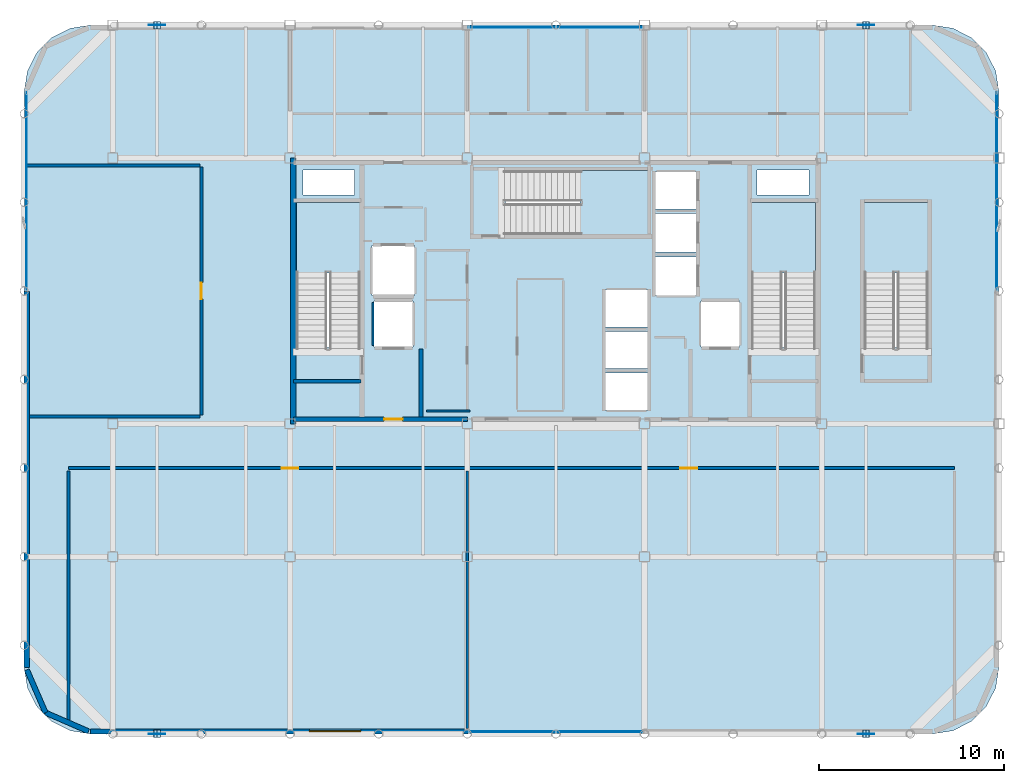
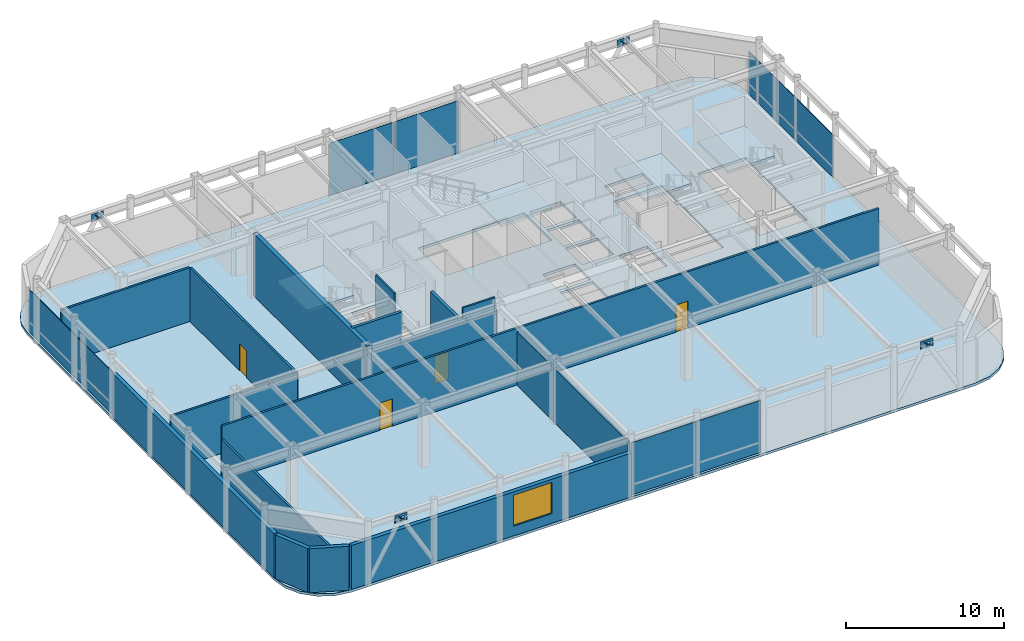
# One storey, part 16 of 21: 18 plates, 16 walls, 5 slabs, 4 doors, 1 window, 5 openings, 8 elements without a shape of their own.
"""IFC4 building model written with IfcOpenShell, lengths in metres."""

from ifc_helpers import new_model, si_unit, direction, frame, frame_2d, origin, origin_2d, place, context, subcontext, project, spatial, polyline, rectangle, outline, extrude, material, layer, layer_set, type_object, element, fill, aggregate, save


model = new_model("IFC4")

# Units and contexts
model_context = context("Model", 3, precision=1e-05, world=origin(), true_north=direction((0.0, 1.0)))
body_context = subcontext(model_context, "Body", "Model", "MODEL_VIEW")
ifc_project = project(units=[si_unit("LENGTHUNIT", "METRE"), si_unit("AREAUNIT", "SQUARE_METRE"), si_unit("VOLUMEUNIT", "CUBIC_METRE"), si_unit("PLANEANGLEUNIT", "RADIAN"), si_unit("MASSUNIT", "GRAM", prefix="KILO")], contexts=[model_context])

# Site, building, storey
site_placement = place(None, origin())
site = spatial("IfcSite", under=ifc_project, at=site_placement, CompositionType="ELEMENT")
building_placement = place(site_placement, origin())
building = spatial("IfcBuilding", under=site, at=building_placement, Name="Kallvorn Hotel Tower", CompositionType="ELEMENT")
storey_placement = place(building_placement, frame((0.0, 0.0, 290.60009765625)))
storey = spatial("IfcBuildingStorey", under=building, at=storey_placement, Name="L72", CompositionType="ELEMENT", Elevation=290.60009765625)

# Curtain wall, plates
ifc_material_1 = material(Name="Thermally broken black-anodised aluminium AA 6063-T6", Category="aluminium")
ifc_layer_1 = layer(ifc_material_1, 0.25)
ifc_layer_set_1 = layer_set([ifc_layer_1], Name="CW_SYS_6_SUMMIT_OBS")
curtain_wall_type = type_object("IfcCurtainWallType", Name="CW_SYS_6_SUMMIT_OBS", PredefinedType="USERDEFINED", material=ifc_layer_set_1)
curtain_wall_1_placement = place(storey_placement, origin())
curtain_wall_1 = element("IfcCurtainWall", 1, at=curtain_wall_1_placement, inside=storey, type_object=curtain_wall_type, Name="L72 Dark-Glass Curtain Wall CW-L72-SC", ObjectType="UNITISED CURTAIN WALL", PredefinedType="USERDEFINED")
ifc_material_2 = material(Name="Triple-glazed low-e acoustic solar-control dark glass", Category="glass")
ifc_layer_2 = layer(ifc_material_2, 0.044921875)
ifc_layer_set_2 = layer_set([ifc_layer_2], Name="CW_SYS_6_SUMMIT_OBS_PANEL")
plate_type_1 = type_object("IfcPlateType", Name="CW_SYS_6_SUMMIT_OBS_PANEL", PredefinedType="CURTAIN_PANEL", material=ifc_layer_set_2)
plate_1_placement = place(storey_placement, frame((-2.375, -23.8798828125, 0.06005859375), z_axis=(0.0, 0.0, 1.0), x_axis=(1.0, 0.0, 0.0)))
plate_1 = element("IfcPlate", 2, at=plate_1_placement, type_object=plate_type_1, Name="CW-L72-SC Vision Glass Panel 00", PredefinedType="CURTAIN_PANEL", context=body_context, shape_type="SweptSolid", body=[
    extrude(rectangle(XDim=4.68994140625, YDim=0.044921875, at=origin_2d()), origin(), (0.0, 0.0, 1.0), 4.030029296875),
])
plate_2_placement = place(storey_placement, frame((2.375, -23.8798828125, 0.06005859375), z_axis=(0.0, 0.0, 1.0), x_axis=(1.0, 0.0, 0.0)))
plate_2 = element("IfcPlate", 3, at=plate_2_placement, type_object=plate_type_1, Name="CW-L72-SC Vision Glass Panel 01", PredefinedType="CURTAIN_PANEL", context=body_context, shape_type="SweptSolid", body=[
    extrude(rectangle(XDim=4.68994140625, YDim=0.044921875, at=origin_2d()), origin(), (0.0, 0.0, 1.0), 4.030029296875),
])
aggregate(curtain_wall_1, [plate_1, plate_2])

curtain_wall_2_placement = place(storey_placement, origin())
curtain_wall_2 = element("IfcCurtainWall", 4, at=curtain_wall_2_placement, inside=storey, type_object=curtain_wall_type, Name="L72 Dark-Glass Curtain Wall CW-L72-NC", ObjectType="UNITISED CURTAIN WALL", PredefinedType="USERDEFINED")
plate_3_placement = place(storey_placement, frame((-2.375, 14.280029296875, 0.06005859375), z_axis=(0.0, 0.0, 1.0), x_axis=(1.0, 0.0, 0.0)))
plate_3 = element("IfcPlate", 5, at=plate_3_placement, type_object=plate_type_1, Name="CW-L72-NC Vision Glass Panel 00", PredefinedType="CURTAIN_PANEL", context=body_context, shape_type="SweptSolid", body=[
    extrude(rectangle(XDim=4.68994140625, YDim=0.044921875, at=origin_2d()), origin(), (0.0, 0.0, 1.0), 4.030029296875),
])
plate_4_placement = place(storey_placement, frame((2.375, 14.280029296875, 0.06005859375), z_axis=(0.0, 0.0, 1.0), x_axis=(1.0, 0.0, 0.0)))
plate_4 = element("IfcPlate", 6, at=plate_4_placement, type_object=plate_type_1, Name="CW-L72-NC Vision Glass Panel 01", PredefinedType="CURTAIN_PANEL", context=body_context, shape_type="SweptSolid", body=[
    extrude(rectangle(XDim=4.68994140625, YDim=0.044921875, at=origin_2d()), origin(), (0.0, 0.0, 1.0), 4.030029296875),
])
aggregate(curtain_wall_2, [plate_3, plate_4])

# Curtain wall, plate
curtain_wall_3_placement = place(storey_placement, origin())
curtain_wall_3 = element("IfcCurtainWall", 7, at=curtain_wall_3_placement, inside=storey, type_object=curtain_wall_type, Name="L72 Dark-Glass Curtain Wall CW-L72-WN", ObjectType="UNITISED CURTAIN WALL", PredefinedType="USERDEFINED")
plate_5_placement = place(storey_placement, frame((-28.679931640625, 5.409912109375, 0.06005859375), z_axis=(0.0, 0.0, 1.0), x_axis=(0.0, 1.0, 0.0)))
plate_5 = element("IfcPlate", 8, at=plate_5_placement, type_object=plate_type_1, Name="CW-L72-WN Vision Glass Panel 00", PredefinedType="CURTAIN_PANEL", context=body_context, shape_type="SweptSolid", body=[
    extrude(rectangle(XDim=10.719970703125, YDim=0.044921875, at=origin_2d()), origin(), (0.0, 0.0, 1.0), 3.280029296875),
])
aggregate(curtain_wall_3, [plate_5])

curtain_wall_4_placement = place(storey_placement, origin())
curtain_wall_4 = element("IfcCurtainWall", 9, at=curtain_wall_4_placement, inside=storey, type_object=curtain_wall_type, Name="L72 Dark-Glass Curtain Wall CW-L72-EN", ObjectType="UNITISED CURTAIN WALL", PredefinedType="USERDEFINED")
plate_6_placement = place(storey_placement, frame((23.8798828125, 5.409912109375, 0.06005859375), z_axis=(0.0, 0.0, 1.0), x_axis=(0.0, 1.0, 0.0)))
plate_6 = element("IfcPlate", 10, at=plate_6_placement, type_object=plate_type_1, Name="CW-L72-EN Vision Glass Panel 00", PredefinedType="CURTAIN_PANEL", context=body_context, shape_type="SweptSolid", body=[
    extrude(rectangle(XDim=10.719970703125, YDim=0.044921875, at=origin_2d()), origin(), (0.0, 0.0, 1.0), 3.280029296875),
])
aggregate(curtain_wall_4, [plate_6])

# Plates
ifc_material_3 = material(Name="Structural steel S355JR", Category="steel")
ifc_layer_3 = layer(ifc_material_3, 0.030029296875)
ifc_layer_set_3 = layer_set([ifc_layer_3], Name="PLT_CAP_30")
plate_type_2 = type_object("IfcPlateType", Name="PLT_CAP_30", PredefinedType="SHEET", material=ifc_layer_set_3)
plate_7_placement = place(storey_placement, frame((-21.420166015625, -24.201904296875, 4.247802734375), z_axis=(0.499390932749, 0.0, 0.866376763474), x_axis=(0.0, 1.0, 0.0)))
element("IfcPlate", 11, at=plate_7_placement, inside=storey, type_object=plate_type_2, Name="EXO-L72-S1A End Cap Plate B", PredefinedType="SHEET", context=body_context, shape_type="SweptSolid", body=[
    extrude(outline(polyline([(0.0, 0.0), (0.40380859375, 0.0), (0.40380859375, 0.4038122100852654), (0.0, 0.4038122100852654), (0.0, 0.0)])), origin(), (0.0, 0.0, -1.0), 0.030029296875),
])
plate_8_placement = place(storey_placement, frame((-21.77978515625, -23.798095703125, 4.247802734375), z_axis=(-0.49965262916, 0.0, 0.866225865565), x_axis=(0.0, -1.0, 0.0)))
element("IfcPlate", 12, at=plate_8_placement, inside=storey, type_object=plate_type_2, Name="EXO-L72-S1B End Cap Plate B", PredefinedType="SHEET", context=body_context, shape_type="SweptSolid", body=[
    extrude(outline(polyline([(0.0, 0.0), (0.40380859375, 0.0), (0.40380859375, 0.4036007107360751), (0.0, 0.4036007107360751), (0.0, 0.0)])), origin(), (0.0, 0.0, -1.0), 0.030029296875),
])
for number, where, z_axis, x_axis, name in (
    (13, (16.97998046875, -24.201904296875, 4.247802734375), (0.499390932749, 0.0, 0.866376763474), (0.0, 1.0, 0.0), "EXO-L72-S2A End Cap Plate B"),
    (14, (16.6201171875, -23.798095703125, 4.247802734375), (-0.499390932749, 0.0, 0.866376763474), (0.0, -1.0, 0.0), "EXO-L72-S2B End Cap Plate B"),
):
    element("IfcPlate", number, at=place(storey_placement, frame(where, z_axis=z_axis, x_axis=x_axis)), inside=storey, type_object=plate_type_2, Name=name, PredefinedType="SHEET", context=body_context, shape_type="SweptSolid", body=[
        extrude(outline(polyline([(0.0, 0.0), (0.40380859375, 0.0), (0.40380859375, 0.4038122100852654), (0.0, 0.4038122100852654), (0.0, 0.0)])), origin(), (0.0, 0.0, -1.0), 0.030029296875),
    ])
plate_9_placement = place(storey_placement, frame((-21.420166015625, 14.197998046875, 4.247802734375), z_axis=(0.499390932749, 0.0, 0.866376763474), x_axis=(0.0, 1.0, 0.0)))
element("IfcPlate", 15, at=plate_9_placement, inside=storey, type_object=plate_type_2, Name="EXO-L72-N1A End Cap Plate B", PredefinedType="SHEET", context=body_context, shape_type="SweptSolid", body=[
    extrude(outline(polyline([(0.0, 0.0), (0.404052734375, 0.0), (0.404052734375, 0.4038122100852654), (0.0, 0.4038122100852654), (0.0, 0.0)])), origin(), (0.0, 0.0, -1.0), 0.030029296875),
])
plate_10_placement = place(storey_placement, frame((-21.77978515625, 14.60205078125, 4.247802734375), z_axis=(-0.49965262916, 0.0, 0.866225865565), x_axis=(0.0, -1.0, 0.0)))
element("IfcPlate", 16, at=plate_10_placement, inside=storey, type_object=plate_type_2, Name="EXO-L72-N1B End Cap Plate B", PredefinedType="SHEET", context=body_context, shape_type="SweptSolid", body=[
    extrude(outline(polyline([(0.0, 0.0), (0.404052734375, 0.0), (0.404052734375, 0.4036007107360751), (0.0, 0.4036007107360751), (0.0, 0.0)])), origin(), (0.0, 0.0, -1.0), 0.030029296875),
])
for number, where, z_axis, x_axis, name in (
    (17, (16.97998046875, 14.197998046875, 4.247802734375), (0.499390932749, 0.0, 0.866376763474), (0.0, 1.0, 0.0), "EXO-L72-N2A End Cap Plate B"),
    (18, (16.6201171875, 14.60205078125, 4.247802734375), (-0.499390932749, 0.0, 0.866376763474), (0.0, -1.0, 0.0), "EXO-L72-N2B End Cap Plate B"),
):
    element("IfcPlate", number, at=place(storey_placement, frame(where, z_axis=z_axis, x_axis=x_axis)), inside=storey, type_object=plate_type_2, Name=name, PredefinedType="SHEET", context=body_context, shape_type="SweptSolid", body=[
        extrude(outline(polyline([(0.0, 0.0), (0.404052734375, 0.0), (0.404052734375, 0.4038122100852654), (0.0, 0.4038122100852654), (0.0, 0.0)])), origin(), (0.0, 0.0, -1.0), 0.030029296875),
    ])
ifc_material_4 = material(Name="Structural steel S355JR", Category="steel")
ifc_layer_4 = layer(ifc_material_4, 0.034912109375)
ifc_layer_set_4 = layer_set([ifc_layer_4], Name="PLT_GUSSET_35")
plate_type_3 = type_object("IfcPlateType", Name="PLT_GUSSET_35", PredefinedType="USERDEFINED", material=ifc_layer_set_4)
for number, where, z_axis, x_axis, name in (
    (19, (-21.60009765625, -24.0, 4.019775390625), (0.0, 0.0, 1.0), (1.0, 0.0, 0.0), "L72 Exoskeleton Node Gusset S1"),
    (20, (16.800048828125, -24.0, 4.019775390625), (0.0, 0.0, 1.0), (1.0, 0.0, 0.0), "L72 Exoskeleton Node Gusset S2"),
    (21, (-21.60009765625, 14.39990234375, 4.019775390625), (0.0, 0.0, 1.0), (1.0, 0.0, 0.0), "L72 Exoskeleton Node Gusset N1"),
    (22, (16.800048828125, 14.39990234375, 4.019775390625), (0.0, 0.0, 1.0), (1.0, 0.0, 0.0), "L72 Exoskeleton Node Gusset N2"),
):
    element("IfcPlate", number, at=place(storey_placement, frame(where, z_axis=z_axis, x_axis=x_axis)), inside=storey, type_object=plate_type_3, Name=name, ObjectType="GUSSET PLATE", PredefinedType="USERDEFINED", context=body_context, shape_type="SweptSolid", body=[
        extrude(rectangle(XDim=0.89990234375, YDim=0.034912109375, at=origin_2d()), origin(), (0.0, 0.0, 1.0), 0.56005859375),
    ])

# Stair, slab
ifc_material_5 = material(Name="Precast concrete C40/50", Category="concrete")
stair_type = type_object("IfcStairType", Name="STR_CORE_DOGLEG", PredefinedType="HALF_TURN_STAIR", material=ifc_material_5)
stair_1_placement = place(storey_placement, origin())
stair_1 = element("IfcStair", 23, at=stair_1_placement, inside=storey, type_object=stair_type, Name="L72 Exit stair ST1", PredefinedType="HALF_TURN_STAIR")
ifc_material_6 = material(Name="Precast concrete C40/50", Category="concrete")
ifc_layer_5 = layer(ifc_material_6, 0.179931640625)
ifc_layer_set_5 = layer_set([ifc_layer_5], Name="SLB_LANDING_180")
slab_type_1 = type_object("IfcSlabType", Name="SLB_LANDING_180", PredefinedType="LANDING", material=ifc_layer_set_5)
slab_1_placement = place(storey_placement, frame((0.0, 0.0, 2.2998046875)))
slab_1 = element("IfcSlab", 24, at=slab_1_placement, type_object=slab_type_1, Name="ST1 landing 1", PredefinedType="LANDING", context=body_context, shape_type="SweptSolid", body=[
    extrude(outline(polyline([(-10.60009765625, 0.969970703125), (-10.60009765625, 4.800048828125), (-14.06005859375, 4.800048828125), (-14.06005859375, 0.969970703125), (-10.60009765625, 0.969970703125)])), origin(), (0.0, 0.0, 1.0), 0.2001953125),
])
aggregate(stair_1, [slab_1])

stair_2_placement = place(storey_placement, origin())
stair_2 = element("IfcStair", 25, at=stair_2_placement, inside=storey, type_object=stair_type, Name="L72 Exit stair ST2", PredefinedType="HALF_TURN_STAIR")
slab_2_placement = place(storey_placement, frame((0.0, 0.0, 2.2998046875)))
slab_2 = element("IfcSlab", 26, at=slab_2_placement, type_object=slab_type_1, Name="ST2 landing 1", PredefinedType="LANDING", context=body_context, shape_type="SweptSolid", body=[
    extrude(outline(polyline([(14.06005859375, 0.969970703125), (14.06005859375, 4.800048828125), (10.60009765625, 4.800048828125), (10.60009765625, 0.969970703125), (14.06005859375, 0.969970703125)])), origin(), (0.0, 0.0, 1.0), 0.2001953125),
])
aggregate(stair_2, [slab_2])

stair_3_placement = place(storey_placement, origin())
stair_3 = element("IfcStair", 27, at=stair_3_placement, inside=storey, type_object=stair_type, Name="L72 Exit stair ST3", PredefinedType="HALF_TURN_STAIR")
slab_3_placement = place(storey_placement, frame((0.0, 0.0, 2.2998046875)))
slab_3 = element("IfcSlab", 28, at=slab_3_placement, type_object=slab_type_1, Name="ST3 landing 1", PredefinedType="LANDING", context=body_context, shape_type="SweptSolid", body=[
    extrude(outline(polyline([(1.320068359375, 3.050048828125), (5.050048828125, 3.050048828125), (5.050048828125, 6.510009765625), (1.320068359375, 6.510009765625), (1.320068359375, 3.050048828125)])), origin(), (0.0, 0.0, 1.0), 0.2001953125),
])
aggregate(stair_3, [slab_3])

stair_4_placement = place(storey_placement, origin())
stair_4 = element("IfcStair", 29, at=stair_4_placement, inside=storey, type_object=stair_type, Name="L72 Exit stair ST4", PredefinedType="HALF_TURN_STAIR")
slab_4_placement = place(storey_placement, frame((0.0, 0.0, 2.2998046875)))
slab_4 = element("IfcSlab", 30, at=slab_4_placement, type_object=slab_type_1, Name="ST4 landing 1", PredefinedType="LANDING", context=body_context, shape_type="SweptSolid", body=[
    extrude(outline(polyline([(20.159912109375, 0.969970703125), (20.159912109375, 4.800048828125), (16.699951171875, 4.800048828125), (16.699951171875, 0.969970703125), (20.159912109375, 0.969970703125)])), origin(), (0.0, 0.0, 1.0), 0.2001953125),
])
aggregate(stair_4, [slab_4])

# Slab
ifc_material_7 = material(Name="Concrete C40/50", Category="concrete")
ifc_layer_6 = layer(ifc_material_7, 0.199951171875)
ifc_layer_set_6 = layer_set([ifc_layer_6], Name="SLB_SUMMIT_200")
slab_type_2 = type_object("IfcSlabType", Name="SLB_SUMMIT_200", PredefinedType="FLOOR", material=ifc_layer_set_6)
slab_5_placement = place(storey_placement, frame((0.0, 0.0, -0.2001953125)))
element("IfcSlab", 31, at=slab_5_placement, inside=storey, type_object=slab_type_2, Name="L72 Structural Floor Slab", PredefinedType="FLOOR", context=body_context, shape_type="SweptSolid", body=[
    extrude(outline(polyline([(20.39990234375, -24.0), (21.512451171875, -23.82373046875), (22.51611328125, -23.3125), (23.3125, -22.51611328125), (23.82373046875, -21.512451171875), (24.0, -20.39990234375), (24.0, 10.800048828125), (23.82373046875, 11.91259765625), (23.3125, 12.916015625), (22.51611328125, 13.71240234375), (21.512451171875, 14.223876953125), (20.39990234375, 14.39990234375), (-25.199951171875, 14.39990234375), (-26.3125, 14.223876953125), (-27.31591796875, 13.71240234375), (-28.112548828125, 12.916015625), (-28.623779296875, 11.91259765625), (-28.800048828125, 10.800048828125), (-28.800048828125, -20.39990234375), (-28.623779296875, -21.512451171875), (-28.112548828125, -22.51611328125), (-27.31591796875, -23.3125), (-26.3125, -23.82373046875), (-25.199951171875, -24.0), (20.39990234375, -24.0)]), holes=[polyline([(-10.60009765625, -3.070068359375), (-10.60009765625, 4.800048828125), (-14.06005859375, 4.800048828125), (-14.06005859375, -3.070068359375), (-10.60009765625, -3.070068359375)]), polyline([(14.06005859375, -3.070068359375), (14.06005859375, 4.800048828125), (10.60009765625, 4.800048828125), (10.60009765625, -3.070068359375), (14.06005859375, -3.070068359375)]), polyline([(-2.719970703125, 3.050048828125), (5.050048828125, 3.050048828125), (5.050048828125, 6.510009765625), (-2.719970703125, 6.510009765625), (-2.719970703125, 3.050048828125)]), polyline([(20.159912109375, -3.070068359375), (20.159912109375, 4.800048828125), (16.699951171875, 4.800048828125), (16.699951171875, -3.070068359375), (20.159912109375, -3.070068359375)]), polyline([(2.64990234375, -6.449951171875), (5.0, -6.449951171875), (5.0, -4.449951171875), (2.64990234375, -4.449951171875), (2.64990234375, -6.449951171875)]), polyline([(2.64990234375, -4.199951171875), (5.0, -4.199951171875), (5.0, -2.199951171875), (2.64990234375, -2.199951171875), (2.64990234375, -4.199951171875)]), polyline([(2.64990234375, -1.949951171875), (5.0, -1.949951171875), (5.0, 0.050048828125), (2.64990234375, 0.050048828125), (2.64990234375, -1.949951171875)]), polyline([(5.35009765625, -0.25), (7.64990234375, -0.25), (7.64990234375, 1.85009765625), (5.35009765625, 1.85009765625), (5.35009765625, -0.25)]), polyline([(5.35009765625, 2.10009765625), (7.64990234375, 2.10009765625), (7.64990234375, 4.199951171875), (5.35009765625, 4.199951171875), (5.35009765625, 2.10009765625)]), polyline([(5.35009765625, 4.449951171875), (7.64990234375, 4.449951171875), (7.64990234375, 6.449951171875), (5.35009765625, 6.449951171875), (5.35009765625, 4.449951171875)]), polyline([(-9.85009765625, -3.050048828125), (-7.75, -3.050048828125), (-7.75, -0.550048828125), (-9.85009765625, -0.550048828125), (-9.85009765625, -3.050048828125)]), polyline([(7.85009765625, -3.050048828125), (9.949951171875, -3.050048828125), (9.949951171875, -0.550048828125), (7.85009765625, -0.550048828125), (7.85009765625, -3.050048828125)]), polyline([(-9.949951171875, -0.25), (-7.64990234375, -0.25), (-7.64990234375, 2.449951171875), (-9.949951171875, 2.449951171875), (-9.949951171875, -0.25)]), polyline([(-13.699951171875, 5.199951171875), (-10.89990234375, 5.199951171875), (-10.89990234375, 6.550048828125), (-13.699951171875, 6.550048828125), (-13.699951171875, 5.199951171875)]), polyline([(10.89990234375, 5.199951171875), (13.699951171875, 5.199951171875), (13.699951171875, 6.550048828125), (10.89990234375, 6.550048828125), (10.89990234375, 5.199951171875)])]), origin(), (0.0, 0.0, 1.0), 0.2001953125),
])

# Walls
ifc_material_8 = material(Name="Concrete C50/60", Category="concrete")
ifc_layer_7 = layer(ifc_material_8, 0.300048828125)
ifc_layer_set_7 = layer_set([ifc_layer_7], Name="WL_CORE_300")
wall_type_1 = type_object("IfcWallType", Name="WL_CORE_300", PredefinedType="SHEAR", material=ifc_layer_set_7)
wall_1_placement = place(storey_placement, frame((-14.215087890625, -7.199951171875, -0.2001953125), z_axis=(0.0, 0.0, 1.0), x_axis=(0.0, 1.0, 0.0)))
element("IfcWall", 32, at=wall_1_placement, inside=storey, type_object=wall_type_1, Name="L72 Core West Shear Wall", PredefinedType="SHEAR", context=body_context, shape_type="SweptSolid", body=[
    extrude(rectangle(XDim=14.39990234375, YDim=0.300048828125, at=frame_2d((7.199951171875, 0.0))), origin(), (0.0, 0.0, 1.0), 5.0),
])
ifc_material_9 = material(Name="Precast basalt-clad insulated concrete wall C40/50", Category="masonry")
ifc_layer_8 = layer(ifc_material_9, 0.280029296875)
ifc_layer_set_8 = layer_set([ifc_layer_8], Name="WL_EXT_LOGGIA_280")
wall_type_2 = type_object("IfcWallType", Name="WL_EXT_LOGGIA_280", PredefinedType="SOLIDWALL", material=ifc_layer_set_8)
wall_2_placement = place(storey_placement, frame((-28.657958984375, -20.520751953125, 0.0), z_axis=(0.0, 0.0, 1.0), x_axis=(0.398792985289, -0.917040977756, 0.0)))
element("IfcWall", 33, at=wall_2_placement, inside=storey, type_object=wall_type_2, Name="L72 Rounded Corner Exterior Wall SW1", PredefinedType="SOLIDWALL", context=body_context, shape_type="SweptSolid", body=[
    extrude(rectangle(XDim=2.536376953125, YDim=0.280029296875, at=frame_2d((1.26806640625, 0.0))), origin(), (0.0, 0.0, 1.0), 3.39990234375),
])
wall_3_placement = place(storey_placement, frame((-27.646484375, -22.8466796875, 0.0), z_axis=(0.0, 0.0, 1.0), x_axis=(0.917060872934, -0.398747232384, 0.0)))
element("IfcWall", 34, at=wall_3_placement, inside=storey, type_object=wall_type_2, Name="L72 Rounded Corner Exterior Wall SW2", PredefinedType="SOLIDWALL", context=body_context, shape_type="SweptSolid", body=[
    extrude(rectangle(XDim=2.5361328125, YDim=0.280029296875, at=frame_2d((1.26806640625, 0.0))), origin(), (0.0, 0.0, 1.0), 3.39990234375),
])

# Wall, opening, window
wall_4_placement = place(storey_placement, frame((-25.199951171875, -23.860107421875, 0.0), z_axis=(0.0, 0.0, 1.0), x_axis=(1.0, 0.0, 0.0)))
wall_4 = element("IfcWall", 35, at=wall_4_placement, inside=storey, type_object=wall_type_2, Name="L72 Exterior Envelope Wall EW-L72-SW", PredefinedType="SOLIDWALL", context=body_context, shape_type="SweptSolid", body=[
    extrude(rectangle(XDim=20.449951171875, YDim=0.280029296875, at=frame_2d((10.22509765625, 0.0))), origin(), (0.0, 0.0, 1.0), 3.39990234375),
])
opening_1_placement = place(wall_4_placement, frame((11.841064453125, 0.0, 0.75)))
opening_1 = element("IfcOpeningElement", 36, at=opening_1_placement, cuts=wall_4, Name="Opening W08", PredefinedType="OPENING", context=body_context, shape_type="SweptSolid", body=[
    extrude(rectangle(XDim=2.800048828125, YDim=2.39990234375, at=frame_2d((1.39990234375, 1.199951171875))), frame((0.0, 0.155029296875, 0.0), z_axis=(0.0, -1.0, 0.0), x_axis=(1.0, 0.0, 0.0)), (0.0, 0.0, 1.0), 0.31005859375),
])
ifc_material_10 = material(Name="Triple-glazed low-e acoustic solar-control dark glass", Category="glass")
window_type = type_object("IfcWindowType", Name="WN_SUM_2800x2400", PartitioningType="SINGLE_PANEL", PredefinedType="WINDOW", material=ifc_material_10)
window_placement = place(opening_1_placement, origin())
window = element("IfcWindow", 37, at=window_placement, inside=storey, type_object=window_type, Name="L72 Guestroom Exterior Window 01", OverallHeight=2.39990234375, OverallWidth=2.800048828125, PartitioningType="SINGLE_PANEL", PredefinedType="WINDOW", context=body_context, shape_type="SweptSolid", body=[
    extrude(rectangle(XDim=2.800048828125, YDim=2.39990234375, at=frame_2d((1.39990234375, 1.199951171875))), frame((0.0, 0.030029296875, 0.0), z_axis=(0.0, -1.0, 0.0), x_axis=(1.0, 0.0, 0.0)), (0.0, 0.0, 1.0), 0.06005859375),
])
fill(opening_1, window)

# Walls
wall_5_placement = place(storey_placement, frame((-28.659912109375, -20.39990234375, 0.0), z_axis=(0.0, 0.0, 1.0), x_axis=(0.0, 1.0, 0.0)))
element("IfcWall", 38, at=wall_5_placement, inside=storey, type_object=wall_type_2, Name="L72 Exterior Envelope Wall EW-L72-WS", PredefinedType="SOLIDWALL", context=body_context, shape_type="SweptSolid", body=[
    extrude(rectangle(XDim=20.3798828125, YDim=0.280029296875, at=frame_2d((10.18994140625, 0.0))), origin(), (0.0, 0.0, 1.0), 3.39990234375),
])
ifc_material_11 = material(Name="Concrete C40/50", Category="concrete")
ifc_layer_9 = layer(ifc_material_11, 0.219970703125)
ifc_layer_set_9 = layer_set([ifc_layer_9], Name="WL_FFL_220")
wall_type_3 = type_object("IfcWallType", Name="WL_FFL_220", PredefinedType="SOLIDWALL", material=ifc_layer_set_9)
wall_6_placement = place(storey_placement, frame((-7.300048828125, -6.820068359375, 0.0), z_axis=(0.0, 0.0, 1.0), x_axis=(0.0, 1.0, 0.0)))
element("IfcWall", 39, at=wall_6_placement, inside=storey, type_object=wall_type_3, Name="L72 Firefighting Lobby West Divider Wall", PredefinedType="SOLIDWALL", context=body_context, shape_type="SweptSolid", body=[
    extrude(rectangle(XDim=3.670166015625, YDim=0.219970703125, at=frame_2d((1.8349609375, 0.0))), origin(), (0.0, 0.0, 1.0), 4.14990234375),
])
ifc_material_12 = material(Name="Concrete C40/50", Category="concrete")
ifc_layer_10 = layer(ifc_material_12, 0.199951171875)
ifc_layer_set_10 = layer_set([ifc_layer_10], Name="WL_HOIST_200")
wall_type_4 = type_object("IfcWallType", Name="WL_HOIST_200", PredefinedType="SOLIDWALL", material=ifc_layer_set_10)
wall_7_placement = place(storey_placement, frame((-14.199951171875, -4.89990234375, -0.2001953125), z_axis=(0.0, 0.0, 1.0), x_axis=(1.0, 0.0, 0.0)))
element("IfcWall", 40, at=wall_7_placement, inside=storey, type_object=wall_type_4, Name="L72 Stair ST1 South Wall", PredefinedType="SOLIDWALL", context=body_context, shape_type="SweptSolid", body=[
    extrude(rectangle(XDim=3.64990234375, YDim=0.199951171875, at=frame_2d((1.824951171875, 0.0))), origin(), (0.0, 0.0, 1.0), 5.0),
])
ifc_material_13 = material(Name="Fire-rated double-layer acoustic gypsum drywall EI 60")
ifc_layer_11 = layer(ifc_material_13, 0.1201171875)
ifc_layer_set_11 = layer_set([ifc_layer_11], Name="WL_INT_120")
wall_type_5 = type_object("IfcWallType", Name="WL_INT_120", PredefinedType="PARTITIONING", material=ifc_layer_set_11)
wall_8_placement = place(storey_placement, frame((-9.89990234375, -2.9599609375, 0.0), z_axis=(0.0, 0.0, 1.0), x_axis=(0.0, 1.0, 0.0)))
element("IfcWall", 41, at=wall_8_placement, inside=storey, type_object=wall_type_5, Name="L72 FL-1 West Shaft Wall", PredefinedType="PARTITIONING", context=body_context, shape_type="SweptSolid", body=[
    extrude(rectangle(XDim=2.320068359375, YDim=0.1201171875, at=frame_2d((1.16015625, 0.0))), origin(), (0.0, 0.0, 1.0), 4.7998046875),
])
wall_9_placement = place(storey_placement, frame((-7.0, -6.5, 0.0), z_axis=(0.0, 0.0, 1.0), x_axis=(1.0, 0.0, 0.0)))
element("IfcWall", 42, at=wall_9_placement, inside=storey, type_object=wall_type_5, Name="L72 Recaptured Full-Depth Sommelier Store Partition", PredefinedType="PARTITIONING", context=body_context, shape_type="SweptSolid", body=[
    extrude(rectangle(XDim=2.35009765625, YDim=0.1201171875, at=frame_2d((1.175048828125, 0.0))), origin(), (0.0, 0.0, 1.0), 4.7998046875),
])

# Wall, openings, doors
ifc_material_14 = material(Name="Fire-rated double-layer acoustic gypsum drywall EI 60")
ifc_layer_12 = layer(ifc_material_14, 0.14990234375)
ifc_layer_set_12 = layer_set([ifc_layer_12], Name="WL_PART_150")
wall_type_6 = type_object("IfcWallType", Name="WL_PART_150", PredefinedType="PARTITIONING", material=ifc_layer_set_12)
wall_10_placement = place(storey_placement, frame((-26.39990234375, -9.60009765625, 0.0), z_axis=(0.0, 0.0, 1.0), x_axis=(1.0, 0.0, 0.0)))
wall_10 = element("IfcWall", 43, at=wall_10_placement, inside=storey, type_object=wall_type_6, Name="L72 Cordillera Fine-Dining Sky Restaurant Partition", PredefinedType="PARTITIONING", context=body_context, shape_type="SweptSolid", body=[
    extrude(rectangle(XDim=48.0, YDim=0.14990234375, at=frame_2d((24.0, 0.0))), origin(), (0.0, 0.0, 1.0), 4.35986328125),
])
opening_2_placement = place(wall_10_placement, frame((11.550048828125, 0.0, 0.0)))
opening_2 = element("IfcOpeningElement", 44, at=opening_2_placement, cuts=wall_10, Name="Opening SVD1", PredefinedType="OPENING", context=body_context, shape_type="SweptSolid", body=[
    extrude(rectangle(XDim=0.89990234375, YDim=2.10009765625, at=frame_2d((0.449951171875, 1.050048828125))), frame((0.0, 0.08984375, 0.0), z_axis=(0.0, -1.0, 0.0), x_axis=(1.0, 0.0, 0.0)), (0.0, 0.0, 1.0), 0.179931640625),
])
opening_3_placement = place(wall_10_placement, frame((33.14990234375, 0.0, 0.0)))
opening_3 = element("IfcOpeningElement", 45, at=opening_3_placement, cuts=wall_10, Name="Opening SVD1", PredefinedType="OPENING", context=body_context, shape_type="SweptSolid", body=[
    extrude(rectangle(XDim=0.89990234375, YDim=2.10009765625, at=frame_2d((0.449951171875, 1.050048828125))), frame((0.0, 0.08984375, 0.0), z_axis=(0.0, -1.0, 0.0), x_axis=(1.0, 0.0, 0.0)), (0.0, 0.0, 1.0), 0.179931640625),
])
ifc_material_15 = material(Name="Galvanised painted steel fire-rated door assembly", Category="steel")
door_type_1 = type_object("IfcDoorType", Name="DR_SERV_900x2100", OperationType="NOTDEFINED", PredefinedType="DOOR", material=ifc_material_15)
door_1_placement = place(opening_2_placement, origin())
door_1 = element("IfcDoor", 46, at=door_1_placement, inside=storey, type_object=door_type_1, Name="L72 Cordillera Fine-Dining Sky Restaurant Door", OperationType="SINGLE_SWING_RIGHT", OverallHeight=2.10009765625, OverallWidth=0.89990234375, PredefinedType="DOOR", context=body_context, shape_type="SweptSolid", body=[
    extrude(rectangle(XDim=0.89990234375, YDim=2.10009765625, at=frame_2d((0.449951171875, 1.050048828125))), frame((0.0, 0.02490234375, 0.0), z_axis=(0.0, -1.0, 0.0), x_axis=(1.0, 0.0, 0.0)), (0.0, 0.0, 1.0), 0.050048828125),
])
fill(opening_2, door_1)
door_2_placement = place(opening_3_placement, origin())
door_2 = element("IfcDoor", 47, at=door_2_placement, inside=storey, type_object=door_type_1, Name="L72 Private Chef Tasting Dining Room Door", OperationType="SINGLE_SWING_RIGHT", OverallHeight=2.10009765625, OverallWidth=0.89990234375, PredefinedType="DOOR", context=body_context, shape_type="SweptSolid", body=[
    extrude(rectangle(XDim=0.89990234375, YDim=2.10009765625, at=frame_2d((0.449951171875, 1.050048828125))), frame((0.0, 0.02490234375, 0.0), z_axis=(0.0, -1.0, 0.0), x_axis=(1.0, 0.0, 0.0)), (0.0, 0.0, 1.0), 0.050048828125),
])
fill(opening_3, door_2)

# Walls
wall_11_placement = place(storey_placement, frame((-28.510009765625, -6.800048828125, 0.0), z_axis=(0.0, 0.0, 1.0), x_axis=(1.0, 0.0, 0.0)))
element("IfcWall", 48, at=wall_11_placement, inside=storey, type_object=wall_type_6, Name="L72 West Aperitif Sunset Dining Bar Partition", PredefinedType="PARTITIONING", context=body_context, shape_type="SweptSolid", body=[
    extrude(rectangle(XDim=9.22998046875, YDim=0.14990234375, at=frame_2d((4.614990234375, 0.0))), origin(), (0.0, 0.0, 1.0), 4.14990234375),
])
wall_12_placement = place(storey_placement, frame((-28.6298828125, 6.800048828125, 0.0), z_axis=(0.0, 0.0, 1.0), x_axis=(1.0, 0.0, 0.0)))
element("IfcWall", 49, at=wall_12_placement, inside=storey, type_object=wall_type_6, Name="L72 West Aperitif Sunset Dining Bar Partition", PredefinedType="PARTITIONING", context=body_context, shape_type="SweptSolid", body=[
    extrude(rectangle(XDim=9.349853515625, YDim=0.14990234375, at=frame_2d((4.6748046875, 0.0))), origin(), (0.0, 0.0, 1.0), 4.14990234375),
])
wall_13_placement = place(storey_placement, frame((-26.39990234375, -23.238525390625, 0.0), z_axis=(0.0, 0.0, 1.0), x_axis=(0.0, 1.0, 0.0)))
element("IfcWall", 50, at=wall_13_placement, inside=storey, type_object=wall_type_6, Name="L72 Cordillera Fine-Dining Sky Restaurant Partition", PredefinedType="PARTITIONING", context=body_context, shape_type="SweptSolid", body=[
    extrude(rectangle(XDim=13.488525390625, YDim=0.14990234375, at=frame_2d((6.744140625, 0.0))), origin(), (0.0, 0.0, 1.0), 3.39990234375),
])

# Wall, opening, door
wall_14_placement = place(storey_placement, frame((-19.199951171875, -6.715087890625, 0.0), z_axis=(0.0, 0.0, 1.0), x_axis=(0.0, 1.0, 0.0)))
wall_14 = element("IfcWall", 51, at=wall_14_placement, inside=storey, type_object=wall_type_6, Name="L72 West Aperitif Sunset Dining Bar Partition", PredefinedType="PARTITIONING", context=body_context, shape_type="SweptSolid", body=[
    extrude(rectangle(XDim=13.43017578125, YDim=0.14990234375, at=frame_2d((6.715087890625, 0.0))), origin(), (0.0, 0.0, 1.0), 4.14990234375),
])
opening_4_placement = place(wall_14_placement, frame((6.264892578125, 0.0, 0.0)))
opening_4 = element("IfcOpeningElement", 52, at=opening_4_placement, cuts=wall_14, Name="Opening SVD1", PredefinedType="OPENING", context=body_context, shape_type="SweptSolid", body=[
    extrude(rectangle(XDim=0.89990234375, YDim=2.10009765625, at=frame_2d((0.449951171875, 1.050048828125))), frame((0.0, 0.08984375, 0.0), z_axis=(0.0, -1.0, 0.0), x_axis=(1.0, 0.0, 0.0)), (0.0, 0.0, 1.0), 0.179931640625),
])
door_3_placement = place(opening_4_placement, origin())
door_3 = element("IfcDoor", 53, at=door_3_placement, inside=storey, type_object=door_type_1, Name="L72 West Aperitif Sunset Dining Bar Door", OperationType="SINGLE_SWING_RIGHT", OverallHeight=2.10009765625, OverallWidth=0.89990234375, PredefinedType="DOOR", context=body_context, shape_type="SweptSolid", body=[
    extrude(rectangle(XDim=0.89990234375, YDim=2.10009765625, at=frame_2d((0.449951171875, 1.050048828125))), frame((0.0, 0.02490234375, 0.0), z_axis=(0.0, -1.0, 0.0), x_axis=(1.0, 0.0, 0.0)), (0.0, 0.0, 1.0), 0.050048828125),
])
fill(opening_4, door_3)

# Wall
wall_15_placement = place(storey_placement, frame((-4.800048828125, -23.7099609375, 0.0), z_axis=(0.0, 0.0, 1.0), x_axis=(0.0, 1.0, 0.0)))
element("IfcWall", 54, at=wall_15_placement, inside=storey, type_object=wall_type_6, Name="L72 Cordillera Fine-Dining Sky Restaurant Partition", PredefinedType="PARTITIONING", context=body_context, shape_type="SweptSolid", body=[
    extrude(rectangle(XDim=13.9599609375, YDim=0.14990234375, at=frame_2d((6.97998046875, 0.0))), origin(), (0.0, 0.0, 1.0), 4.14990234375),
])

# Wall, opening, door
ifc_material_16 = material(Name="Concrete C40/50", Category="concrete")
ifc_layer_13 = layer(ifc_material_16, 0.25)
ifc_layer_set_13 = layer_set([ifc_layer_13], Name="WL_SHAFT_250")
wall_type_7 = type_object("IfcWallType", Name="WL_SHAFT_250", PredefinedType="SOLIDWALL", material=ifc_layer_set_13)
wall_16_placement = place(storey_placement, frame((-14.199951171875, -6.949951171875, 0.0), z_axis=(0.0, 0.0, 1.0), x_axis=(1.0, 0.0, 0.0)))
wall_16 = element("IfcWall", 55, at=wall_16_placement, inside=storey, type_object=wall_type_7, Name="L72 Core South-West Wall", PredefinedType="SOLIDWALL", context=body_context, shape_type="SweptSolid", body=[
    extrude(rectangle(XDim=9.39990234375, YDim=0.25, at=frame_2d((4.699951171875, 0.0))), origin(), (0.0, 0.0, 1.0), 4.14990234375),
])
opening_5_placement = place(wall_16_placement, frame((4.89990234375, 0.0, 0.0)))
opening_5 = element("IfcOpeningElement", 56, at=opening_5_placement, cuts=wall_16, Name="Opening FD1", PredefinedType="OPENING", context=body_context, shape_type="SweptSolid", body=[
    extrude(rectangle(XDim=1.0, YDim=2.14990234375, at=frame_2d((0.5, 1.074951171875))), frame((0.0, 0.139892578125, 0.0), z_axis=(0.0, -1.0, 0.0), x_axis=(1.0, 0.0, 0.0)), (0.0, 0.0, 1.0), 0.280029296875),
])
ifc_material_17 = material(Name="Galvanised painted steel fire-rated door assembly", Category="steel")
door_type_2 = type_object("IfcDoorType", Name="DR_FFL_1000x2150", OperationType="NOTDEFINED", PredefinedType="DOOR", material=ifc_material_17)
door_4_placement = place(opening_5_placement, origin())
door_4 = element("IfcDoor", 57, at=door_4_placement, inside=storey, type_object=door_type_2, Name="L72 Firefighting Lobby West Door", OperationType="SINGLE_SWING_LEFT", OverallHeight=2.14990234375, OverallWidth=1.0, PredefinedType="DOOR", context=body_context, shape_type="SweptSolid", body=[
    extrude(rectangle(XDim=1.0, YDim=2.14990234375, at=frame_2d((0.5, 1.074951171875))), frame((0.0, 0.02490234375, 0.0), z_axis=(0.0, -1.0, 0.0), x_axis=(1.0, 0.0, 0.0)), (0.0, 0.0, 1.0), 0.050048828125),
])
fill(opening_5, door_4)

save(model, "model.ifc")
